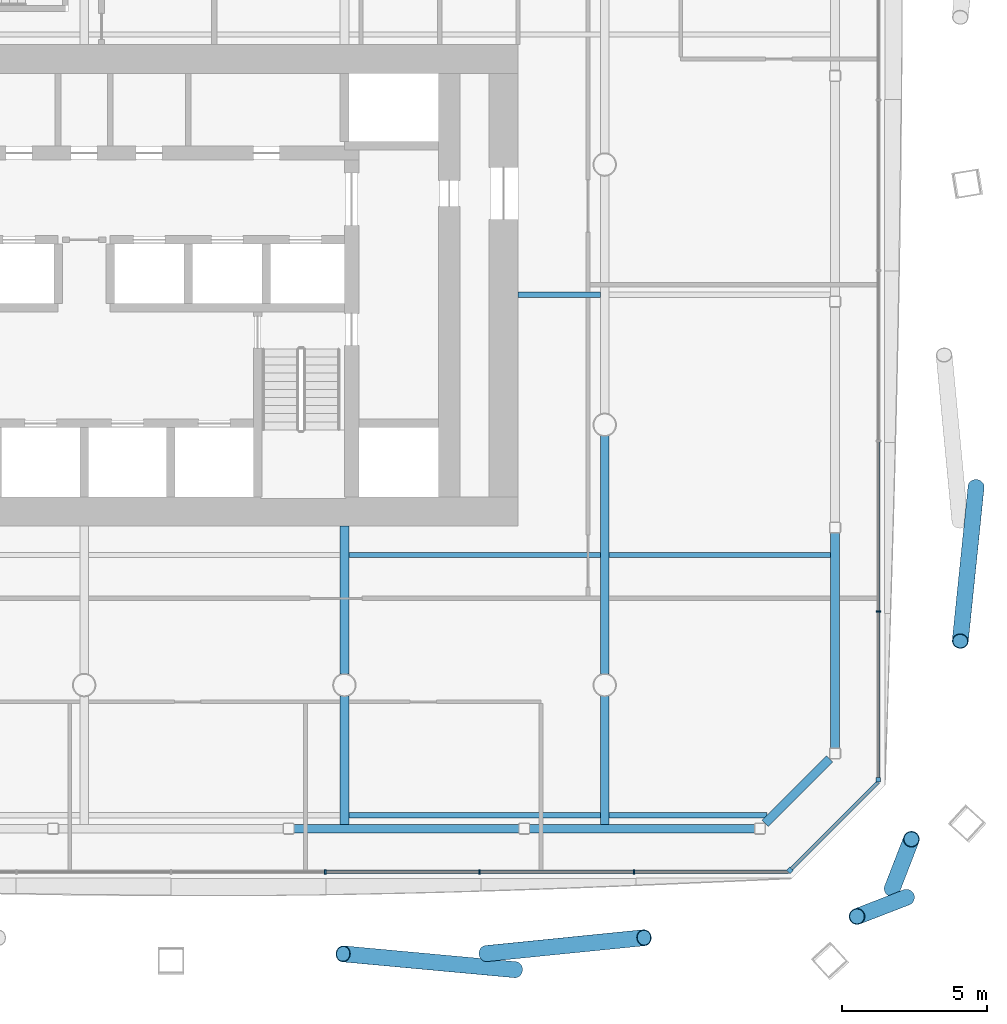
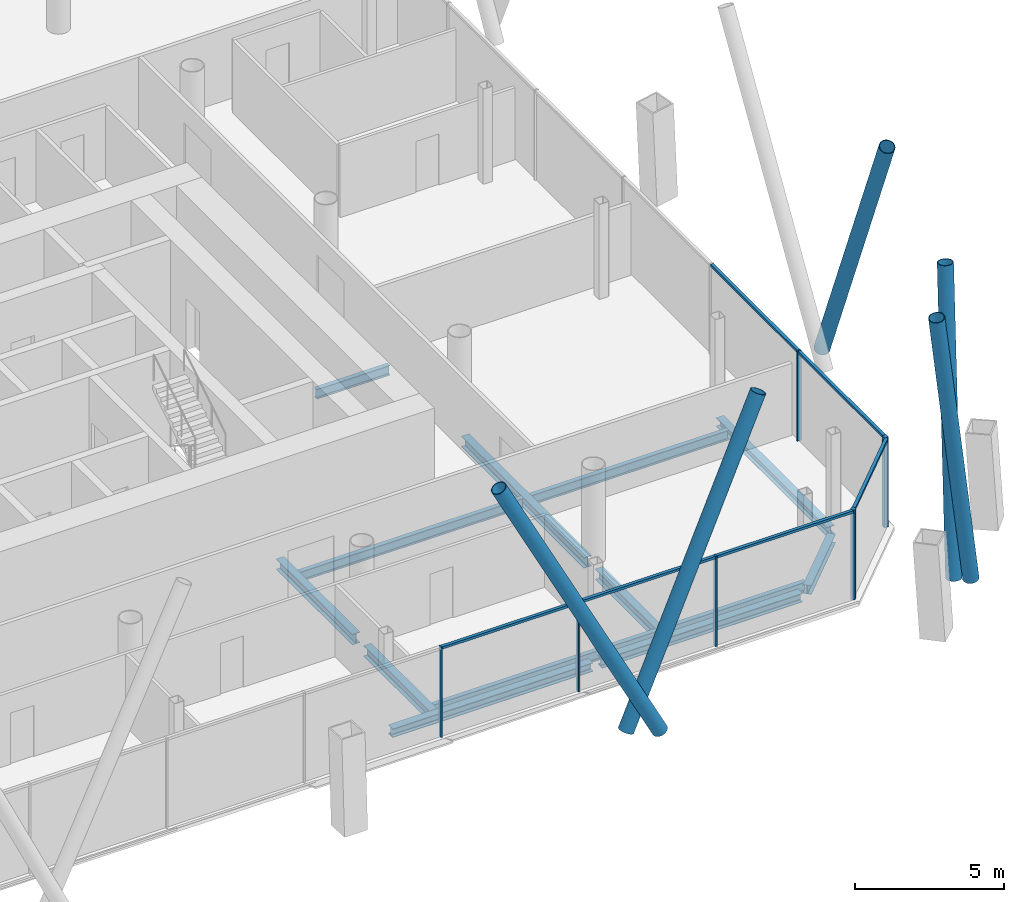
# One storey, part 6 of 22: 17 members, 13 beams, 3 elements without a shape of their own.
"""IFC4 building model written with IfcOpenShell, lengths in metres."""

from ifc_helpers import new_model, si_unit, direction, frame, origin, origin_2d, place, context, subcontext, project, spatial, rectangle, hollow_circle, i_section, extrude, material, material_profile, profile_set, type_object, element, aggregate, save


model = new_model("IFC4")

# Units and contexts
model_context = context("Model", 3, precision=1e-05, world=origin(), true_north=direction((0.0, 1.0)))
body_context = subcontext(model_context, "Body", "Model", "MODEL_VIEW")
ifc_project = project(units=[si_unit("LENGTHUNIT", "METRE"), si_unit("AREAUNIT", "SQUARE_METRE"), si_unit("VOLUMEUNIT", "CUBIC_METRE"), si_unit("PLANEANGLEUNIT", "RADIAN"), si_unit("MASSUNIT", "GRAM", prefix="KILO")], contexts=[model_context])

# Site, building, storey
site_placement = place(None, origin())
site = spatial("IfcSite", under=ifc_project, at=site_placement, CompositionType="ELEMENT")
building_placement = place(site_placement, origin())
building = spatial("IfcBuilding", under=site, at=building_placement, Name="Tskaro Facet Tower", CompositionType="ELEMENT")
storey_placement = place(building_placement, frame((0.0, 0.0, 85.5)))
storey = spatial("IfcBuildingStorey", under=building, at=storey_placement, Name="L20", CompositionType="ELEMENT", Elevation=85.5)

# Members
ifc_material_1 = material(Name="Steel S355J2H", Category="steel")
ifc_material_profile_1 = material_profile(ifc_material_1, hollow_circle(Radius=0.279541015625, WallThickness=0.02490234375, at=origin_2d()), Name="CHS 559x25")
ifc_profile_set_1 = profile_set([ifc_material_profile_1], Name="Steel S355J2H")
member_type_1 = type_object("IfcMemberType", Name="CHS 559x25 brace", PredefinedType="BRACE", material=ifc_profile_set_1)
member_1_placement = place(storey_placement, frame((13.907470703125, -27.283447265625, 0.0), z_axis=(0.422116135188, 0.042402462391, 0.905549556677), x_axis=(-0.099949115091, 0.994992549918, 0.0)))
element("IfcMember", 1, at=member_1_placement, inside=storey, type_object=member_type_1, Name="CHS 559x25 XB02A/2", PredefinedType="BRACE", context=body_context, shape_type="SweptSolid", body=[
    extrude(hollow_circle(Radius=0.279541015625, WallThickness=0.02490234375, at=origin_2d()), origin(), (0.0, 0.0, 1.0), 12.920166015625),
])
member_2_placement = place(storey_placement, frame((14.907958984375, -27.842529296875, 0.0), z_axis=(-0.45313815189, 0.041714649239, 0.890463757455), x_axis=(-0.091669634271, -0.995789474815, 0.0)))
element("IfcMember", 2, at=member_2_placement, inside=storey, type_object=member_type_1, Name="CHS 559x25 XB02B/2", PredefinedType="BRACE", context=body_context, shape_type="SweptSolid", body=[
    extrude(hollow_circle(Radius=0.279541015625, WallThickness=0.02490234375, at=origin_2d()), origin(), (0.0, 0.0, 1.0), 13.13916015625),
])
for number, where, z_axis, x_axis, name in (
    (3, (27.94384765625, -25.039306640625, 0.0), (0.055969303022, 0.144468830784, 0.987925196587), (-0.932468359741, 0.36125165478, 0.0), "CHS 559x25 XB03A/2"),
    (4, (28.4345703125, -25.339111328125, 0.0), (-0.144468830784, -0.055969303022, 0.987925196587), (0.36125165478, -0.932468359741, 0.0), "CHS 559x25 XB03B/2"),
):
    element("IfcMember", number, at=place(storey_placement, frame(where, z_axis=z_axis, x_axis=x_axis)), inside=storey, type_object=member_type_1, Name=name, PredefinedType="BRACE", context=body_context, shape_type="SweptSolid", body=[
        extrude(hollow_circle(Radius=0.279541015625, WallThickness=0.02490234375, at=origin_2d()), origin(), (0.0, 0.0, 1.0), 11.843017578125),
    ])
member_3_placement = place(storey_placement, frame((30.842529296875, -11.146484375, 0.0), z_axis=(-0.042586261107, -0.414462012885, 0.909069661929), x_axis=(0.994762582076, -0.102212549625, 0.0)))
element("IfcMember", 5, at=member_3_placement, inside=storey, type_object=member_type_1, Name="CHS 559x25 XB04B/2", PredefinedType="BRACE", context=body_context, shape_type="SweptSolid", body=[
    extrude(hollow_circle(Radius=0.279541015625, WallThickness=0.02490234375, at=origin_2d()), origin(), (0.0, 0.0, 1.0), 12.870361328125),
])

# Curtain wall, member
ifc_material_2 = material(Name="Bronze anodised aluminium 6063-T6", Category="aluminium")
curtain_wall_type = type_object("IfcCurtainWallType", Name="Bronze office curtain wall (FW1)", PredefinedType="NOTDEFINED", material=ifc_material_2)
curtain_wall_1_placement = place(storey_placement, origin())
curtain_wall_1 = element("IfcCurtainWall", 6, at=curtain_wall_1_placement, inside=storey, type_object=curtain_wall_type, Name="FW1 south-east facet L20", PredefinedType="NOTDEFINED")
ifc_material_profile_2 = material_profile(ifc_material_2, rectangle(XDim=0.159912109375, YDim=0.159912109375, at=origin_2d()), Name="Corner post 160x160")
ifc_profile_set_2 = profile_set([ifc_material_profile_2], Name="Bronze anodised aluminium 6063-T6")
member_type_2 = type_object("IfcMemberType", Name="FW1 bronze corner post 160x160", PredefinedType="MULLION", material=ifc_profile_set_2)
member_4_placement = place(storey_placement, frame((24.404541015625, -24.406494140625, 0.0), z_axis=(0.0, 0.0, 1.0), x_axis=(0.707106781187, 0.707106781187, 0.0)))
member_4 = element("IfcMember", 7, at=member_4_placement, type_object=member_type_2, Name="FW1 south-east corner post", PredefinedType="MULLION", context=body_context, shape_type="SweptSolid", body=[
    extrude(rectangle(XDim=0.159912109375, YDim=0.159912109375, at=origin_2d()), origin(), (0.0, 0.0, 1.0), 3.699951171875),
])

curtain_wall_2_placement = place(storey_placement, origin())
curtain_wall_2 = element("IfcCurtainWall", 8, at=curtain_wall_2_placement, inside=storey, type_object=curtain_wall_type, Name="FW1 east facet L20", PredefinedType="NOTDEFINED")
member_5_placement = place(storey_placement, frame((27.462890625, -21.26806640625, 0.0), z_axis=(0.0, 0.0, 1.0), x_axis=(0.0, 1.0, 0.0)))
member_5 = element("IfcMember", 9, at=member_5_placement, type_object=member_type_2, Name="FW1 east corner post", PredefinedType="MULLION", context=body_context, shape_type="SweptSolid", body=[
    extrude(rectangle(XDim=0.159912109375, YDim=0.159912109375, at=origin_2d()), origin(), (0.0, 0.0, 1.0), 3.699951171875),
])

# Curtain wall, members
curtain_wall_3_placement = place(storey_placement, origin())
curtain_wall_3 = element("IfcCurtainWall", 10, at=curtain_wall_3_placement, inside=storey, type_object=curtain_wall_type, Name="FW1 south facet L20", PredefinedType="NOTDEFINED")
ifc_material_profile_3 = material_profile(ifc_material_2, rectangle(XDim=0.06005859375, YDim=0.159912109375, at=origin_2d()), Name="Mullion 60x160")
ifc_profile_set_3 = profile_set([ifc_material_profile_3], Name="Bronze anodised aluminium 6063-T6")
member_type_3 = type_object("IfcMemberType", Name="FW1 bronze mullion 60x160", PredefinedType="MULLION", material=ifc_profile_set_3)
member_6_placement = place(storey_placement, frame((8.3369140625, -24.462890625, 0.0), z_axis=(0.0, 0.0, 1.0), x_axis=(1.0, 0.0, 0.0)))
member_6 = element("IfcMember", 11, at=member_6_placement, type_object=member_type_3, Name="FW1 south mullion 5", PredefinedType="MULLION", context=body_context, shape_type="SweptSolid", body=[
    extrude(rectangle(XDim=0.06005859375, YDim=0.159912109375, at=origin_2d()), origin(), (0.0, 0.0, 1.0), 3.699951171875),
])
member_7_placement = place(storey_placement, frame((13.674072265625, -24.462890625, 0.0), z_axis=(0.0, 0.0, 1.0), x_axis=(1.0, 0.0, 0.0)))
member_7 = element("IfcMember", 12, at=member_7_placement, type_object=member_type_3, Name="FW1 south mullion 6", PredefinedType="MULLION", context=body_context, shape_type="SweptSolid", body=[
    extrude(rectangle(XDim=0.06005859375, YDim=0.159912109375, at=origin_2d()), origin(), (0.0, 0.0, 1.0), 3.699951171875),
])
member_8_placement = place(storey_placement, frame((19.010986328125, -24.462890625, 0.0), z_axis=(0.0, 0.0, 1.0), x_axis=(1.0, 0.0, 0.0)))
member_8 = element("IfcMember", 13, at=member_8_placement, type_object=member_type_3, Name="FW1 south mullion 7", PredefinedType="MULLION", context=body_context, shape_type="SweptSolid", body=[
    extrude(rectangle(XDim=0.06005859375, YDim=0.159912109375, at=origin_2d()), origin(), (0.0, 0.0, 1.0), 3.699951171875),
])

# Member
member_9_placement = place(storey_placement, frame((27.462890625, -15.45361328125, 0.0), z_axis=(0.0, 0.0, 1.0), x_axis=(0.0, 1.0, 0.0)))
member_9 = element("IfcMember", 14, at=member_9_placement, type_object=member_type_3, Name="FW1 east mullion 1", PredefinedType="MULLION", context=body_context, shape_type="SweptSolid", body=[
    extrude(rectangle(XDim=0.06005859375, YDim=0.159912109375, at=origin_2d()), origin(), (0.0, 0.0, 1.0), 3.699951171875),
])

ifc_material_profile_4 = material_profile(ifc_material_2, rectangle(XDim=0.1201171875, YDim=0.10009765625, at=origin_2d()), Name="Transom 120x100")
ifc_profile_set_4 = profile_set([ifc_material_profile_4], Name="Bronze anodised aluminium 6063-T6")
member_type_4 = type_object("IfcMemberType", Name="FW1 bronze transom 120x100", PredefinedType="USERDEFINED", material=ifc_profile_set_4)
member_10_placement = place(storey_placement, frame((8.366943359375, -24.462890625, 3.64990234375), z_axis=(1.0, 0.0, 0.0), x_axis=(0.0, 1.0, 0.0)))
member_10 = element("IfcMember", 15, at=member_10_placement, type_object=member_type_4, Name="FW1 south transom 6.1", ObjectType="TRANSOM", PredefinedType="USERDEFINED", context=body_context, shape_type="SweptSolid", body=[
    extrude(rectangle(XDim=0.1201171875, YDim=0.10009765625, at=origin_2d()), origin(), (0.0, 0.0, 1.0), 5.277099609375),
])

member_11_placement = place(storey_placement, frame((13.7041015625, -24.462890625, 3.64990234375), z_axis=(1.0, 0.0, 0.0), x_axis=(0.0, 1.0, 0.0)))
member_11 = element("IfcMember", 16, at=member_11_placement, type_object=member_type_4, Name="FW1 south transom 7.1", ObjectType="TRANSOM", PredefinedType="USERDEFINED", context=body_context, shape_type="SweptSolid", body=[
    extrude(rectangle(XDim=0.1201171875, YDim=0.10009765625, at=origin_2d()), origin(), (0.0, 0.0, 1.0), 5.27685546875),
])

member_12_placement = place(storey_placement, frame((19.041015625, -24.462890625, 3.64990234375), z_axis=(1.0, 0.0, 0.0), x_axis=(0.0, 1.0, 0.0)))
member_12 = element("IfcMember", 17, at=member_12_placement, type_object=member_type_4, Name="FW1 south transom 8.1", ObjectType="TRANSOM", PredefinedType="USERDEFINED", context=body_context, shape_type="SweptSolid", body=[
    extrude(rectangle(XDim=0.1201171875, YDim=0.10009765625, at=origin_2d()), origin(), (0.0, 0.0, 1.0), 5.306884765625),
])

aggregate(curtain_wall_3, [member_6, member_7, member_8, member_10, member_11, member_12])

member_13_placement = place(storey_placement, frame((24.461181640625, -24.349853515625, 3.64990234375), z_axis=(0.707078025904, 0.7071355353, 0.0), x_axis=(-0.7071355353, 0.707078025904, 0.0)))
member_13 = element("IfcMember", 18, at=member_13_placement, type_object=member_type_4, Name="FW1 south-east transom 1.1", ObjectType="TRANSOM", PredefinedType="USERDEFINED", context=body_context, shape_type="SweptSolid", body=[
    extrude(rectangle(XDim=0.1201171875, YDim=0.10009765625, at=origin_2d()), origin(), (0.0, 0.0, 1.0), 4.2451171875),
])

aggregate(curtain_wall_1, [member_4, member_13])

member_14_placement = place(storey_placement, frame((27.462890625, -21.18798828125, 3.64990234375), z_axis=(0.0, 1.0, 0.0), x_axis=(-1.0, 0.0, 0.0)))
member_14 = element("IfcMember", 19, at=member_14_placement, type_object=member_type_4, Name="FW1 east transom 1.1", ObjectType="TRANSOM", PredefinedType="USERDEFINED", context=body_context, shape_type="SweptSolid", body=[
    extrude(rectangle(XDim=0.1201171875, YDim=0.10009765625, at=origin_2d()), origin(), (0.0, 0.0, 1.0), 5.704345703125),
])

member_15_placement = place(storey_placement, frame((27.462890625, -15.423583984375, 3.64990234375), z_axis=(0.0, 1.0, 0.0), x_axis=(-1.0, 0.0, 0.0)))
member_15 = element("IfcMember", 20, at=member_15_placement, type_object=member_type_4, Name="FW1 east transom 2.1", ObjectType="TRANSOM", PredefinedType="USERDEFINED", context=body_context, shape_type="SweptSolid", body=[
    extrude(rectangle(XDim=0.1201171875, YDim=0.10009765625, at=origin_2d()), origin(), (0.0, 0.0, 1.0), 5.83447265625),
])

aggregate(curtain_wall_2, [member_5, member_9, member_14, member_15])

# Beams
ifc_material_3 = material(Name="Steel S355J2", Category="steel")
ifc_material_profile_5 = material_profile(ifc_material_3, i_section(OverallWidth=0.300048828125, OverallDepth=0.360107421875, WebThickness=0.012451171875, FlangeThickness=0.0224609375, FilletRadius=0.027099609375, at=origin_2d()), Name="HE 360 B")
ifc_profile_set_5 = profile_set([ifc_material_profile_5], Name="Steel S355J2")
beam_type_1 = type_object("IfcBeamType", Name="HE 360 B ring beam", PredefinedType="BEAM", material=ifc_profile_set_5)
beam_1_placement = place(storey_placement, frame((7.2529296875, -22.965087890625, -0.320068359375), z_axis=(1.0, 0.0, 0.0), x_axis=(0.0, 1.0, 0.0)))
element("IfcBeam", 21, at=beam_1_placement, inside=storey, type_object=beam_type_1, Name="HE 360 B EB4-2", PredefinedType="BEAM", context=body_context, shape_type="SweptSolid", body=[
    extrude(i_section(OverallWidth=0.300048828125, OverallDepth=0.360107421875, WebThickness=0.012451171875, FlangeThickness=0.0224609375, FilletRadius=0.027099609375, at=origin_2d()), origin(), (0.0, 0.0, 1.0), 7.78515625),
])
beam_2_placement = place(storey_placement, frame((15.39794921875, -22.965087890625, -0.320068359375), z_axis=(1.0, 0.0, 0.0), x_axis=(0.0, 1.0, 0.0)))
element("IfcBeam", 22, at=beam_2_placement, inside=storey, type_object=beam_type_1, Name="HE 360 B EB5-2", PredefinedType="BEAM", context=body_context, shape_type="SweptSolid", body=[
    extrude(i_section(OverallWidth=0.300048828125, OverallDepth=0.360107421875, WebThickness=0.012451171875, FlangeThickness=0.0224609375, FilletRadius=0.027099609375, at=origin_2d()), origin(), (0.0, 0.0, 1.0), 7.7861328125),
])
beam_3_placement = place(storey_placement, frame((23.5498046875, -22.779052734375, -0.320068359375), z_axis=(0.707106781187, 0.707106781187, 0.0), x_axis=(-0.707106781187, 0.707106781187, 0.0)))
element("IfcBeam", 23, at=beam_3_placement, inside=storey, type_object=beam_type_1, Name="HE 360 B EB6-2", PredefinedType="BEAM", context=body_context, shape_type="SweptSolid", body=[
    extrude(i_section(OverallWidth=0.300048828125, OverallDepth=0.360107421875, WebThickness=0.012451171875, FlangeThickness=0.0224609375, FilletRadius=0.027099609375, at=origin_2d()), origin(), (0.0, 0.0, 1.0), 3.152587890625),
])
beam_4_placement = place(storey_placement, frame((25.965087890625, -20.18408203125, -0.320068359375), z_axis=(0.0, 1.0, 0.0), x_axis=(-1.0, 0.0, 0.0)))
element("IfcBeam", 24, at=beam_4_placement, inside=storey, type_object=beam_type_1, Name="HE 360 B EB7-2", PredefinedType="BEAM", context=body_context, shape_type="SweptSolid", body=[
    extrude(i_section(OverallWidth=0.300048828125, OverallDepth=0.360107421875, WebThickness=0.012451171875, FlangeThickness=0.0224609375, FilletRadius=0.027099609375, at=origin_2d()), origin(), (0.0, 0.0, 1.0), 7.451171875),
])
ifc_material_profile_6 = material_profile(ifc_material_3, i_section(OverallWidth=0.300048828125, OverallDepth=0.43994140625, WebThickness=0.011474609375, FlangeThickness=0.02099609375, FilletRadius=0.027099609375, at=origin_2d()), Name="HE 450 A")
ifc_profile_set_6 = profile_set([ifc_material_profile_6], Name="Steel S355J2")
beam_type_2 = type_object("IfcBeamType", Name="HE 450 A girder", PredefinedType="BEAM", material=ifc_profile_set_6)
beam_5_placement = place(storey_placement, frame((9.0, -22.81494140625, -0.360107421875), z_axis=(0.0, 1.0, 0.0), x_axis=(-1.0, 0.0, 0.0)))
element("IfcBeam", 25, at=beam_5_placement, inside=storey, type_object=beam_type_2, Name="HE 450 A GB5-1-2", PredefinedType="BEAM", context=body_context, shape_type="SweptSolid", body=[
    extrude(i_section(OverallWidth=0.300048828125, OverallDepth=0.43994140625, WebThickness=0.011474609375, FlangeThickness=0.02099609375, FilletRadius=0.027099609375, at=origin_2d()), origin(), (0.0, 0.0, 1.0), 4.4384765625),
])
beam_6_placement = place(storey_placement, frame((9.0, -17.62353515625, -0.360107421875), z_axis=(0.0, 1.0, 0.0), x_axis=(-1.0, 0.0, 0.0)))
element("IfcBeam", 26, at=beam_6_placement, inside=storey, type_object=beam_type_2, Name="HE 450 A GB5-2-2", PredefinedType="BEAM", context=body_context, shape_type="SweptSolid", body=[
    extrude(i_section(OverallWidth=0.300048828125, OverallDepth=0.43994140625, WebThickness=0.011474609375, FlangeThickness=0.02099609375, FilletRadius=0.027099609375, at=origin_2d()), origin(), (0.0, 0.0, 1.0), 5.12353515625),
])
beam_7_placement = place(storey_placement, frame((18.0, -22.81494140625, -0.360107421875), z_axis=(0.0, 1.0, 0.0), x_axis=(-1.0, 0.0, 0.0)))
element("IfcBeam", 27, at=beam_7_placement, inside=storey, type_object=beam_type_2, Name="HE 450 A GB6-1-2", PredefinedType="BEAM", context=body_context, shape_type="SweptSolid", body=[
    extrude(i_section(OverallWidth=0.300048828125, OverallDepth=0.43994140625, WebThickness=0.011474609375, FlangeThickness=0.02099609375, FilletRadius=0.027099609375, at=origin_2d()), origin(), (0.0, 0.0, 1.0), 4.4384765625),
])
beam_8_placement = place(storey_placement, frame((18.0, -17.62353515625, -0.360107421875), z_axis=(0.0, 1.0, 0.0), x_axis=(-1.0, 0.0, 0.0)))
element("IfcBeam", 28, at=beam_8_placement, inside=storey, type_object=beam_type_2, Name="HE 450 A GB6-2-2", PredefinedType="BEAM", context=body_context, shape_type="SweptSolid", body=[
    extrude(i_section(OverallWidth=0.300048828125, OverallDepth=0.43994140625, WebThickness=0.011474609375, FlangeThickness=0.02099609375, FilletRadius=0.027099609375, at=origin_2d()), origin(), (0.0, 0.0, 1.0), 8.2470703125),
])
ifc_material_profile_7 = material_profile(ifc_material_3, i_section(OverallWidth=0.179931640625, OverallDepth=0.39990234375, WebThickness=0.008544921875, FlangeThickness=0.013427734375, FilletRadius=0.02099609375, at=origin_2d()), Name="IPE 400")
ifc_profile_set_7 = profile_set([ifc_material_profile_7], Name="Steel S355J2")
beam_type_3 = type_object("IfcBeamType", Name="IPE 400 secondary beam", PredefinedType="BEAM", material=ifc_profile_set_7)
beam_9_placement = place(storey_placement, frame((9.14990234375, -22.5, -0.340087890625), z_axis=(1.0, 0.0, 0.0), x_axis=(0.0, 1.0, 0.0)))
element("IfcBeam", 29, at=beam_9_placement, inside=storey, type_object=beam_type_3, Name="IPE 400 SB1a-4-2", PredefinedType="BEAM", context=body_context, shape_type="SweptSolid", body=[
    extrude(i_section(OverallWidth=0.179931640625, OverallDepth=0.39990234375, WebThickness=0.008544921875, FlangeThickness=0.013427734375, FilletRadius=0.02099609375, at=origin_2d()), origin(), (0.0, 0.0, 1.0), 8.7001953125),
])
beam_10_placement = place(storey_placement, frame((18.14990234375, -22.5, -0.340087890625), z_axis=(1.0, 0.0, 0.0), x_axis=(0.0, 1.0, 0.0)))
element("IfcBeam", 30, at=beam_10_placement, inside=storey, type_object=beam_type_3, Name="IPE 400 SB1a-5-2", PredefinedType="BEAM", context=body_context, shape_type="SweptSolid", body=[
    extrude(i_section(OverallWidth=0.179931640625, OverallDepth=0.39990234375, WebThickness=0.008544921875, FlangeThickness=0.013427734375, FilletRadius=0.02099609375, at=origin_2d()), origin(), (0.0, 0.0, 1.0), 5.467041015625),
])
beam_11_placement = place(storey_placement, frame((9.14990234375, -13.5, -0.340087890625), z_axis=(1.0, 0.0, 0.0), x_axis=(0.0, 1.0, 0.0)))
element("IfcBeam", 31, at=beam_11_placement, inside=storey, type_object=beam_type_3, Name="IPE 400 SB2a-4-2", PredefinedType="BEAM", context=body_context, shape_type="SweptSolid", body=[
    extrude(i_section(OverallWidth=0.179931640625, OverallDepth=0.39990234375, WebThickness=0.008544921875, FlangeThickness=0.013427734375, FilletRadius=0.02099609375, at=origin_2d()), origin(), (0.0, 0.0, 1.0), 8.7001953125),
])
beam_12_placement = place(storey_placement, frame((18.14990234375, -13.5, -0.340087890625), z_axis=(1.0, 0.0, 0.0), x_axis=(0.0, 1.0, 0.0)))
element("IfcBeam", 32, at=beam_12_placement, inside=storey, type_object=beam_type_3, Name="IPE 400 SB2a-5-2", PredefinedType="BEAM", context=body_context, shape_type="SweptSolid", body=[
    extrude(i_section(OverallWidth=0.179931640625, OverallDepth=0.39990234375, WebThickness=0.008544921875, FlangeThickness=0.013427734375, FilletRadius=0.02099609375, at=origin_2d()), origin(), (0.0, 0.0, 1.0), 7.6650390625),
])
beam_13_placement = place(storey_placement, frame((15.0, -4.5, -0.340087890625), z_axis=(1.0, 0.0, 0.0), x_axis=(0.0, 1.0, 0.0)))
element("IfcBeam", 33, at=beam_13_placement, inside=storey, type_object=beam_type_3, Name="IPE 400 SB3a-2-2", PredefinedType="BEAM", context=body_context, shape_type="SweptSolid", body=[
    extrude(i_section(OverallWidth=0.179931640625, OverallDepth=0.39990234375, WebThickness=0.008544921875, FlangeThickness=0.013427734375, FilletRadius=0.02099609375, at=origin_2d()), origin(), (0.0, 0.0, 1.0), 2.85009765625),
])

save(model, "model.ifc")
